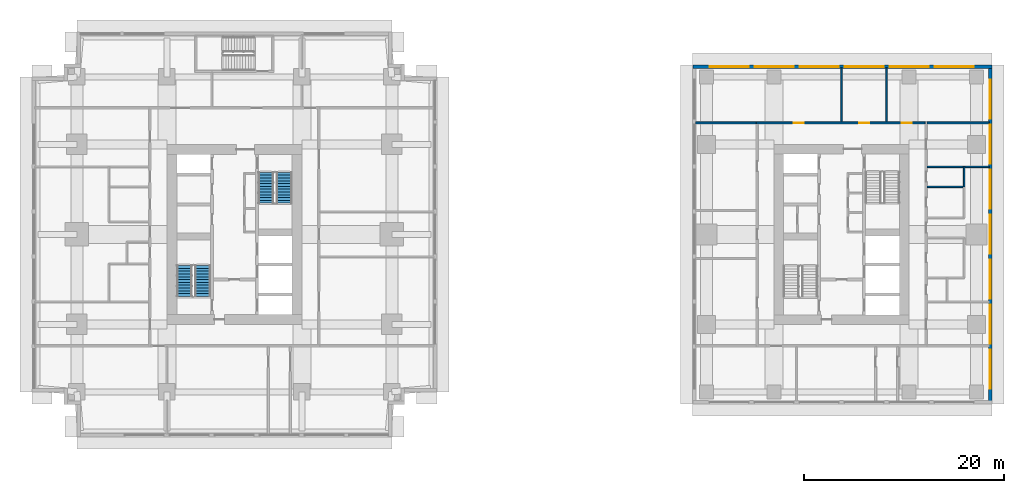
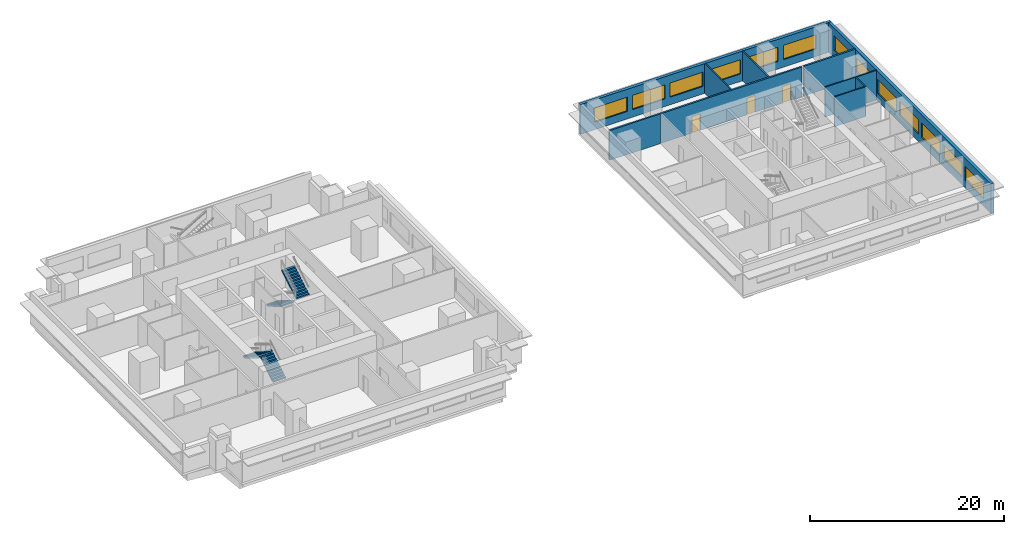
# One storey, part 8 of 11: 13 windows, 10 walls, 4 stair flights, 3 doors, 16 openings, 2 elements without a shape of their own.
"""IFC4 building model written with IfcOpenShell, lengths in metres."""

from ifc_helpers import new_model, si_unit, direction, frame, frame_2d, origin, place, context, subcontext, project, spatial, polyline, rectangle, outline, extrude, material, layer, layer_set, type_object, element, fill, aggregate, save


model = new_model("IFC4")

# Units and contexts
model_context = context("Model", 3, precision=1e-05, world=origin(), true_north=direction((0.0, 1.0)))
body_context = subcontext(model_context, "Body", "Model", "MODEL_VIEW")
ifc_project = project(units=[si_unit("LENGTHUNIT", "METRE"), si_unit("AREAUNIT", "SQUARE_METRE"), si_unit("VOLUMEUNIT", "CUBIC_METRE"), si_unit("PLANEANGLEUNIT", "RADIAN"), si_unit("MASSUNIT", "GRAM", prefix="KILO")], contexts=[model_context])

# Site, building, storey
site_placement = place(None, origin())
site = spatial("IfcSite", under=ifc_project, at=site_placement, CompositionType="ELEMENT")
building_placement = place(site_placement, origin())
building = spatial("IfcBuilding", under=site, at=building_placement, Name="Namib Vertical Campus", CompositionType="ELEMENT")
storey_placement = place(building_placement, frame((0.0, 0.0, 201.0)))
storey = spatial("IfcBuildingStorey", under=building, at=storey_placement, Name="L47", CompositionType="ELEMENT", Elevation=201.0)

# Wall, openings, doors
ifc_material_1 = material(Name="Concrete masonry", Category="masonry")
ifc_layer_1 = layer(ifc_material_1, 0.199951171875)
ifc_layer_set_1 = layer_set([ifc_layer_1], Name="Corridor wall 200")
wall_type_1 = type_object("IfcWallType", Name="Corridor wall 200", PredefinedType="SOLIDWALL", material=ifc_layer_set_1)
wall_1_placement = place(storey_placement, frame((89.35009765625, 31.39990234375, 0.0), z_axis=(0.0, 0.0, 1.0), x_axis=(-1.0, 0.0, 0.0)))
wall_1 = element("IfcWall", 1, at=wall_1_placement, inside=storey, type_object=wall_type_1, Name="Corridor wall B L47 CN", PredefinedType="SOLIDWALL", context=body_context, shape_type="SweptSolid", body=[
    extrude(rectangle(XDim=16.900146484375, YDim=0.199951171875, at=frame_2d((8.4501953125, 0.0))), origin(), (0.0, 0.0, 1.0), 3.75),
])
opening_1_placement = place(wall_1_placement, frame((12.125, 0.0, 0.0)))
opening_1 = element("IfcOpeningElement", 2, at=opening_1_placement, cuts=wall_1, Name="Opening CD1", PredefinedType="OPENING", context=body_context, shape_type="SweptSolid", body=[
    extrude(rectangle(XDim=1.0, YDim=2.10009765625, at=frame_2d((0.5, 1.050048828125))), frame((0.0, 0.10986328125, 0.0), z_axis=(0.0, -1.0, 0.0), x_axis=(1.0, 0.0, 0.0)), (0.0, 0.0, 1.0), 0.219970703125),
])
opening_2_placement = place(wall_1_placement, frame((5.60009765625, 0.0, 0.0)))
opening_2 = element("IfcOpeningElement", 3, at=opening_2_placement, cuts=wall_1, Name="Opening CD1", PredefinedType="OPENING", context=body_context, shape_type="SweptSolid", body=[
    extrude(rectangle(XDim=1.0, YDim=2.10009765625, at=frame_2d((0.5, 1.050048828125))), frame((0.0, 0.10986328125, 0.0), z_axis=(0.0, -1.0, 0.0), x_axis=(1.0, 0.0, 0.0)), (0.0, 0.0, 1.0), 0.219970703125),
])
opening_3_placement = place(wall_1_placement, frame((1.324951171875, 0.0, 0.0)))
opening_3 = element("IfcOpeningElement", 4, at=opening_3_placement, cuts=wall_1, Name="Opening CD1", PredefinedType="OPENING", context=body_context, shape_type="SweptSolid", body=[
    extrude(rectangle(XDim=1.0, YDim=2.10009765625, at=frame_2d((0.5, 1.050048828125))), frame((0.0, 0.10986328125, 0.0), z_axis=(0.0, -1.0, 0.0), x_axis=(1.0, 0.0, 0.0)), (0.0, 0.0, 1.0), 0.219970703125),
])
ifc_material_2 = material(Name="Timber fire door leaf", Category="wood")
door_type = type_object("IfcDoorType", Name="Corridor door 1000x2100 20 min", OperationType="SINGLE_SWING_LEFT", PredefinedType="DOOR", material=ifc_material_2)
door_1_placement = place(opening_1_placement, frame((1.0, 0.0, 0.0), z_axis=(0.0, 0.0, 1.0), x_axis=(-1.0, 0.0, 0.0)))
door_1 = element("IfcDoor", 5, at=door_1_placement, inside=storey, type_object=door_type, Name="Door CD1 B47-11", OperationType="SINGLE_SWING_RIGHT", OverallHeight=2.10009765625, OverallWidth=1.0, PredefinedType="DOOR", context=body_context, shape_type="SweptSolid", body=[
    extrude(rectangle(XDim=1.0, YDim=2.10009765625, at=frame_2d((0.5, 1.050048828125))), frame((0.0, 0.02490234375, 0.0), z_axis=(0.0, -1.0, 0.0), x_axis=(1.0, 0.0, 0.0)), (0.0, 0.0, 1.0), 0.050048828125),
])
fill(opening_1, door_1)
door_2_placement = place(opening_2_placement, frame((1.0, 0.0, 0.0), z_axis=(0.0, 0.0, 1.0), x_axis=(-1.0, 0.0, 0.0)))
door_2 = element("IfcDoor", 6, at=door_2_placement, inside=storey, type_object=door_type, Name="Door CD1 B47-12", OperationType="SINGLE_SWING_RIGHT", OverallHeight=2.10009765625, OverallWidth=1.0, PredefinedType="DOOR", context=body_context, shape_type="SweptSolid", body=[
    extrude(rectangle(XDim=1.0, YDim=2.10009765625, at=frame_2d((0.5, 1.050048828125))), frame((0.0, 0.02490234375, 0.0), z_axis=(0.0, -1.0, 0.0), x_axis=(1.0, 0.0, 0.0)), (0.0, 0.0, 1.0), 0.050048828125),
])
fill(opening_2, door_2)
door_3_placement = place(opening_3_placement, frame((1.0, 0.0, 0.0), z_axis=(0.0, 0.0, 1.0), x_axis=(-1.0, 0.0, 0.0)))
door_3 = element("IfcDoor", 7, at=door_3_placement, inside=storey, type_object=door_type, Name="Door CD1 B47-13", OperationType="SINGLE_SWING_LEFT", OverallHeight=2.10009765625, OverallWidth=1.0, PredefinedType="DOOR", context=body_context, shape_type="SweptSolid", body=[
    extrude(rectangle(XDim=1.0, YDim=2.10009765625, at=frame_2d((0.5, 1.050048828125))), frame((0.0, 0.02490234375, 0.0), z_axis=(0.0, -1.0, 0.0), x_axis=(1.0, 0.0, 0.0)), (0.0, 0.0, 1.0), 0.050048828125),
])
fill(opening_3, door_3)

# Walls
wall_2_placement = place(storey_placement, frame((66.39990234375, 31.39990234375, 0.0), z_axis=(0.0, 0.0, 1.0), x_axis=(1.0, 0.0, 0.0)))
element("IfcWall", 8, at=wall_2_placement, inside=storey, type_object=wall_type_1, Name="Partition B L47 BNW", PredefinedType="SOLIDWALL", context=body_context, shape_type="SweptSolid", body=[
    extrude(rectangle(XDim=6.050048828125, YDim=0.199951171875, at=frame_2d((3.02490234375, 0.0))), origin(), (0.0, 0.0, 1.0), 3.75),
])
wall_3_placement = place(storey_placement, frame((89.550048828125, 31.39990234375, 0.0), z_axis=(0.0, 0.0, 1.0), x_axis=(1.0, 0.0, 0.0)))
element("IfcWall", 9, at=wall_3_placement, inside=storey, type_object=wall_type_1, Name="Partition B L47 BNE", PredefinedType="SOLIDWALL", context=body_context, shape_type="SweptSolid", body=[
    extrude(rectangle(XDim=6.199951171875, YDim=0.199951171875, at=frame_2d((3.10009765625, 0.0))), origin(), (0.0, 0.0, 1.0), 3.75),
])

# Wall, openings, windows
ifc_material_3 = material(Name="Concrete C40/50", Category="concrete")
ifc_layer_2 = layer(ifc_material_3, 0.35009765625)
ifc_layer_set_2 = layer_set([ifc_layer_2], Name="Concrete C40/50")
wall_type_2 = type_object("IfcWallType", Name="External wall 350 bush-hammered concrete", PredefinedType="STANDARD", material=ifc_layer_set_2)
wall_4_placement = place(storey_placement, frame((95.875, 3.320068359375, 0.0), z_axis=(0.0, 0.0, 1.0), x_axis=(0.0, 1.0, 0.0)))
wall_4 = element("IfcWall", 10, at=wall_4_placement, inside=storey, type_object=wall_type_2, Name="External wall L47 F02", PredefinedType="STANDARD", context=body_context, shape_type="SweptSolid", body=[
    extrude(rectangle(XDim=33.85986328125, YDim=0.35009765625, at=frame_2d((16.929931640625, 0.0))), origin(), (0.0, 0.0, 1.0), 3.75),
])
opening_4_placement = place(wall_4_placement, frame((1.47998046875, 0.0, 0.949951171875)))
opening_4 = element("IfcOpeningElement", 11, at=opening_4_placement, cuts=wall_4, Name="Opening W3", PredefinedType="OPENING", context=body_context, shape_type="SweptSolid", body=[
    extrude(rectangle(XDim=3.89990234375, YDim=1.800048828125, at=frame_2d((1.949951171875, 0.89990234375))), frame((0.0, 0.18505859375, 0.0), z_axis=(0.0, -1.0, 0.0), x_axis=(1.0, 0.0, 0.0)), (0.0, 0.0, 1.0), 0.3701171875),
])
opening_5_placement = place(wall_4_placement, frame((5.97998046875, 0.0, 0.949951171875)))
opening_5 = element("IfcOpeningElement", 12, at=opening_5_placement, cuts=wall_4, Name="Opening W3", PredefinedType="OPENING", context=body_context, shape_type="SweptSolid", body=[
    extrude(rectangle(XDim=3.89990234375, YDim=1.800048828125, at=frame_2d((1.949951171875, 0.89990234375))), frame((0.0, 0.18505859375, 0.0), z_axis=(0.0, -1.0, 0.0), x_axis=(1.0, 0.0, 0.0)), (0.0, 0.0, 1.0), 0.3701171875),
])
opening_6_placement = place(wall_4_placement, frame((10.47998046875, 0.0, 0.949951171875)))
opening_6 = element("IfcOpeningElement", 13, at=opening_6_placement, cuts=wall_4, Name="Opening W3", PredefinedType="OPENING", context=body_context, shape_type="SweptSolid", body=[
    extrude(rectangle(XDim=3.89990234375, YDim=1.800048828125, at=frame_2d((1.949951171875, 0.89990234375))), frame((0.0, 0.18505859375, 0.0), z_axis=(0.0, -1.0, 0.0), x_axis=(1.0, 0.0, 0.0)), (0.0, 0.0, 1.0), 0.3701171875),
])
opening_7_placement = place(wall_4_placement, frame((14.97998046875, 0.0, 0.949951171875)))
opening_7 = element("IfcOpeningElement", 14, at=opening_7_placement, cuts=wall_4, Name="Opening W3", PredefinedType="OPENING", context=body_context, shape_type="SweptSolid", body=[
    extrude(rectangle(XDim=3.89990234375, YDim=1.800048828125, at=frame_2d((1.949951171875, 0.89990234375))), frame((0.0, 0.18505859375, 0.0), z_axis=(0.0, -1.0, 0.0), x_axis=(1.0, 0.0, 0.0)), (0.0, 0.0, 1.0), 0.3701171875),
])
opening_8_placement = place(wall_4_placement, frame((19.47998046875, 0.0, 0.949951171875)))
opening_8 = element("IfcOpeningElement", 15, at=opening_8_placement, cuts=wall_4, Name="Opening W3", PredefinedType="OPENING", context=body_context, shape_type="SweptSolid", body=[
    extrude(rectangle(XDim=3.89990234375, YDim=1.800048828125, at=frame_2d((1.949951171875, 0.89990234375))), frame((0.0, 0.18505859375, 0.0), z_axis=(0.0, -1.0, 0.0), x_axis=(1.0, 0.0, 0.0)), (0.0, 0.0, 1.0), 0.3701171875),
])
opening_9_placement = place(wall_4_placement, frame((23.97998046875, 0.0, 0.949951171875)))
opening_9 = element("IfcOpeningElement", 16, at=opening_9_placement, cuts=wall_4, Name="Opening W3", PredefinedType="OPENING", context=body_context, shape_type="SweptSolid", body=[
    extrude(rectangle(XDim=3.89990234375, YDim=1.800048828125, at=frame_2d((1.949951171875, 0.89990234375))), frame((0.0, 0.18505859375, 0.0), z_axis=(0.0, -1.0, 0.0), x_axis=(1.0, 0.0, 0.0)), (0.0, 0.0, 1.0), 0.3701171875),
])
opening_10_placement = place(wall_4_placement, frame((28.47998046875, 0.0, 0.949951171875)))
opening_10 = element("IfcOpeningElement", 17, at=opening_10_placement, cuts=wall_4, Name="Opening W3", PredefinedType="OPENING", context=body_context, shape_type="SweptSolid", body=[
    extrude(rectangle(XDim=3.89990234375, YDim=1.800048828125, at=frame_2d((1.949951171875, 0.89990234375))), frame((0.0, 0.18505859375, 0.0), z_axis=(0.0, -1.0, 0.0), x_axis=(1.0, 0.0, 0.0)), (0.0, 0.0, 1.0), 0.3701171875),
])
ifc_material_4 = material(Name="Dark tinted glass in black aluminium frame", Category="aluminium")
window_type = type_object("IfcWindowType", Name="Ribbon window 3900x1800", PartitioningType="SINGLE_PANEL", PredefinedType="WINDOW", material=ifc_material_4)
window_1_placement = place(opening_4_placement, origin())
window_1 = element("IfcWindow", 18, at=window_1_placement, inside=storey, type_object=window_type, Name="Window W3 L47 F02-1", OverallHeight=1.800048828125, OverallWidth=3.89990234375, PartitioningType="SINGLE_PANEL", PredefinedType="WINDOW", context=body_context, shape_type="SweptSolid", body=[
    extrude(rectangle(XDim=3.89990234375, YDim=1.800048828125, at=frame_2d((1.949951171875, 0.89990234375))), frame((0.0, 0.030029296875, 0.0), z_axis=(0.0, -1.0, 0.0), x_axis=(1.0, 0.0, 0.0)), (0.0, 0.0, 1.0), 0.06005859375),
])
fill(opening_4, window_1)
window_2_placement = place(opening_5_placement, origin())
window_2 = element("IfcWindow", 19, at=window_2_placement, inside=storey, type_object=window_type, Name="Window W3 L47 F02-2", OverallHeight=1.800048828125, OverallWidth=3.89990234375, PartitioningType="SINGLE_PANEL", PredefinedType="WINDOW", context=body_context, shape_type="SweptSolid", body=[
    extrude(rectangle(XDim=3.89990234375, YDim=1.800048828125, at=frame_2d((1.949951171875, 0.89990234375))), frame((0.0, 0.030029296875, 0.0), z_axis=(0.0, -1.0, 0.0), x_axis=(1.0, 0.0, 0.0)), (0.0, 0.0, 1.0), 0.06005859375),
])
fill(opening_5, window_2)
window_3_placement = place(opening_6_placement, origin())
window_3 = element("IfcWindow", 20, at=window_3_placement, inside=storey, type_object=window_type, Name="Window W3 L47 F02-3", OverallHeight=1.800048828125, OverallWidth=3.89990234375, PartitioningType="SINGLE_PANEL", PredefinedType="WINDOW", context=body_context, shape_type="SweptSolid", body=[
    extrude(rectangle(XDim=3.89990234375, YDim=1.800048828125, at=frame_2d((1.949951171875, 0.89990234375))), frame((0.0, 0.030029296875, 0.0), z_axis=(0.0, -1.0, 0.0), x_axis=(1.0, 0.0, 0.0)), (0.0, 0.0, 1.0), 0.06005859375),
])
fill(opening_6, window_3)
window_4_placement = place(opening_7_placement, origin())
window_4 = element("IfcWindow", 21, at=window_4_placement, inside=storey, type_object=window_type, Name="Window W3 L47 F02-4", OverallHeight=1.800048828125, OverallWidth=3.89990234375, PartitioningType="SINGLE_PANEL", PredefinedType="WINDOW", context=body_context, shape_type="SweptSolid", body=[
    extrude(rectangle(XDim=3.89990234375, YDim=1.800048828125, at=frame_2d((1.949951171875, 0.89990234375))), frame((0.0, 0.030029296875, 0.0), z_axis=(0.0, -1.0, 0.0), x_axis=(1.0, 0.0, 0.0)), (0.0, 0.0, 1.0), 0.06005859375),
])
fill(opening_7, window_4)
window_5_placement = place(opening_8_placement, origin())
window_5 = element("IfcWindow", 22, at=window_5_placement, inside=storey, type_object=window_type, Name="Window W3 L47 F02-5", OverallHeight=1.800048828125, OverallWidth=3.89990234375, PartitioningType="SINGLE_PANEL", PredefinedType="WINDOW", context=body_context, shape_type="SweptSolid", body=[
    extrude(rectangle(XDim=3.89990234375, YDim=1.800048828125, at=frame_2d((1.949951171875, 0.89990234375))), frame((0.0, 0.030029296875, 0.0), z_axis=(0.0, -1.0, 0.0), x_axis=(1.0, 0.0, 0.0)), (0.0, 0.0, 1.0), 0.06005859375),
])
fill(opening_8, window_5)
window_6_placement = place(opening_9_placement, origin())
window_6 = element("IfcWindow", 23, at=window_6_placement, inside=storey, type_object=window_type, Name="Window W3 L47 F02-6", OverallHeight=1.800048828125, OverallWidth=3.89990234375, PartitioningType="SINGLE_PANEL", PredefinedType="WINDOW", context=body_context, shape_type="SweptSolid", body=[
    extrude(rectangle(XDim=3.89990234375, YDim=1.800048828125, at=frame_2d((1.949951171875, 0.89990234375))), frame((0.0, 0.030029296875, 0.0), z_axis=(0.0, -1.0, 0.0), x_axis=(1.0, 0.0, 0.0)), (0.0, 0.0, 1.0), 0.06005859375),
])
fill(opening_9, window_6)
window_7_placement = place(opening_10_placement, origin())
window_7 = element("IfcWindow", 24, at=window_7_placement, inside=storey, type_object=window_type, Name="Window W3 L47 F02-7", OverallHeight=1.800048828125, OverallWidth=3.89990234375, PartitioningType="SINGLE_PANEL", PredefinedType="WINDOW", context=body_context, shape_type="SweptSolid", body=[
    extrude(rectangle(XDim=3.89990234375, YDim=1.800048828125, at=frame_2d((1.949951171875, 0.89990234375))), frame((0.0, 0.030029296875, 0.0), z_axis=(0.0, -1.0, 0.0), x_axis=(1.0, 0.0, 0.0)), (0.0, 0.0, 1.0), 0.06005859375),
])
fill(opening_10, window_7)

wall_5_placement = place(storey_placement, frame((96.030029296875, 37.02490234375, 0.0), z_axis=(0.0, 0.0, 1.0), x_axis=(-1.0, 0.0, 0.0)))
wall_5 = element("IfcWall", 25, at=wall_5_placement, inside=storey, type_object=wall_type_2, Name="External wall L47 F03", PredefinedType="STANDARD", context=body_context, shape_type="SweptSolid", body=[
    extrude(rectangle(XDim=29.909912109375, YDim=0.35009765625, at=frame_2d((14.955078125, 0.0))), origin(), (0.0, 0.0, 1.0), 3.75),
])
opening_11_placement = place(wall_5_placement, frame((24.330078125, 0.0, 0.949951171875)))
opening_11 = element("IfcOpeningElement", 26, at=opening_11_placement, cuts=wall_5, Name="Opening W3", PredefinedType="OPENING", context=body_context, shape_type="SweptSolid", body=[
    extrude(rectangle(XDim=3.89990234375, YDim=1.800048828125, at=frame_2d((1.949951171875, 0.89990234375))), frame((0.0, 0.18505859375, 0.0), z_axis=(0.0, -1.0, 0.0), x_axis=(1.0, 0.0, 0.0)), (0.0, 0.0, 1.0), 0.3701171875),
])
opening_12_placement = place(wall_5_placement, frame((19.830078125, 0.0, 0.949951171875)))
opening_12 = element("IfcOpeningElement", 27, at=opening_12_placement, cuts=wall_5, Name="Opening W3", PredefinedType="OPENING", context=body_context, shape_type="SweptSolid", body=[
    extrude(rectangle(XDim=3.89990234375, YDim=1.800048828125, at=frame_2d((1.949951171875, 0.89990234375))), frame((0.0, 0.18505859375, 0.0), z_axis=(0.0, -1.0, 0.0), x_axis=(1.0, 0.0, 0.0)), (0.0, 0.0, 1.0), 0.3701171875),
])
opening_13_placement = place(wall_5_placement, frame((15.330078125, 0.0, 0.949951171875)))
opening_13 = element("IfcOpeningElement", 28, at=opening_13_placement, cuts=wall_5, Name="Opening W3", PredefinedType="OPENING", context=body_context, shape_type="SweptSolid", body=[
    extrude(rectangle(XDim=3.89990234375, YDim=1.800048828125, at=frame_2d((1.949951171875, 0.89990234375))), frame((0.0, 0.18505859375, 0.0), z_axis=(0.0, -1.0, 0.0), x_axis=(1.0, 0.0, 0.0)), (0.0, 0.0, 1.0), 0.3701171875),
])
opening_14_placement = place(wall_5_placement, frame((10.830078125, 0.0, 0.949951171875)))
opening_14 = element("IfcOpeningElement", 29, at=opening_14_placement, cuts=wall_5, Name="Opening W3", PredefinedType="OPENING", context=body_context, shape_type="SweptSolid", body=[
    extrude(rectangle(XDim=3.89990234375, YDim=1.800048828125, at=frame_2d((1.949951171875, 0.89990234375))), frame((0.0, 0.18505859375, 0.0), z_axis=(0.0, -1.0, 0.0), x_axis=(1.0, 0.0, 0.0)), (0.0, 0.0, 1.0), 0.3701171875),
])
opening_15_placement = place(wall_5_placement, frame((6.330078125, 0.0, 0.949951171875)))
opening_15 = element("IfcOpeningElement", 30, at=opening_15_placement, cuts=wall_5, Name="Opening W3", PredefinedType="OPENING", context=body_context, shape_type="SweptSolid", body=[
    extrude(rectangle(XDim=3.89990234375, YDim=1.800048828125, at=frame_2d((1.949951171875, 0.89990234375))), frame((0.0, 0.18505859375, 0.0), z_axis=(0.0, -1.0, 0.0), x_axis=(1.0, 0.0, 0.0)), (0.0, 0.0, 1.0), 0.3701171875),
])
opening_16_placement = place(wall_5_placement, frame((1.830078125, 0.0, 0.949951171875)))
opening_16 = element("IfcOpeningElement", 31, at=opening_16_placement, cuts=wall_5, Name="Opening W3", PredefinedType="OPENING", context=body_context, shape_type="SweptSolid", body=[
    extrude(rectangle(XDim=3.89990234375, YDim=1.800048828125, at=frame_2d((1.949951171875, 0.89990234375))), frame((0.0, 0.18505859375, 0.0), z_axis=(0.0, -1.0, 0.0), x_axis=(1.0, 0.0, 0.0)), (0.0, 0.0, 1.0), 0.3701171875),
])
window_8_placement = place(opening_11_placement, origin())
window_8 = element("IfcWindow", 32, at=window_8_placement, inside=storey, type_object=window_type, Name="Window W3 L47 F03-1", OverallHeight=1.800048828125, OverallWidth=3.89990234375, PartitioningType="SINGLE_PANEL", PredefinedType="WINDOW", context=body_context, shape_type="SweptSolid", body=[
    extrude(rectangle(XDim=3.89990234375, YDim=1.800048828125, at=frame_2d((1.949951171875, 0.89990234375))), frame((0.0, 0.030029296875, 0.0), z_axis=(0.0, -1.0, 0.0), x_axis=(1.0, 0.0, 0.0)), (0.0, 0.0, 1.0), 0.06005859375),
])
fill(opening_11, window_8)
window_9_placement = place(opening_12_placement, origin())
window_9 = element("IfcWindow", 33, at=window_9_placement, inside=storey, type_object=window_type, Name="Window W3 L47 F03-2", OverallHeight=1.800048828125, OverallWidth=3.89990234375, PartitioningType="SINGLE_PANEL", PredefinedType="WINDOW", context=body_context, shape_type="SweptSolid", body=[
    extrude(rectangle(XDim=3.89990234375, YDim=1.800048828125, at=frame_2d((1.949951171875, 0.89990234375))), frame((0.0, 0.030029296875, 0.0), z_axis=(0.0, -1.0, 0.0), x_axis=(1.0, 0.0, 0.0)), (0.0, 0.0, 1.0), 0.06005859375),
])
fill(opening_12, window_9)
window_10_placement = place(opening_13_placement, origin())
window_10 = element("IfcWindow", 34, at=window_10_placement, inside=storey, type_object=window_type, Name="Window W3 L47 F03-3", OverallHeight=1.800048828125, OverallWidth=3.89990234375, PartitioningType="SINGLE_PANEL", PredefinedType="WINDOW", context=body_context, shape_type="SweptSolid", body=[
    extrude(rectangle(XDim=3.89990234375, YDim=1.800048828125, at=frame_2d((1.949951171875, 0.89990234375))), frame((0.0, 0.030029296875, 0.0), z_axis=(0.0, -1.0, 0.0), x_axis=(1.0, 0.0, 0.0)), (0.0, 0.0, 1.0), 0.06005859375),
])
fill(opening_13, window_10)
window_11_placement = place(opening_14_placement, origin())
window_11 = element("IfcWindow", 35, at=window_11_placement, inside=storey, type_object=window_type, Name="Window W3 L47 F03-4", OverallHeight=1.800048828125, OverallWidth=3.89990234375, PartitioningType="SINGLE_PANEL", PredefinedType="WINDOW", context=body_context, shape_type="SweptSolid", body=[
    extrude(rectangle(XDim=3.89990234375, YDim=1.800048828125, at=frame_2d((1.949951171875, 0.89990234375))), frame((0.0, 0.030029296875, 0.0), z_axis=(0.0, -1.0, 0.0), x_axis=(1.0, 0.0, 0.0)), (0.0, 0.0, 1.0), 0.06005859375),
])
fill(opening_14, window_11)
window_12_placement = place(opening_15_placement, origin())
window_12 = element("IfcWindow", 36, at=window_12_placement, inside=storey, type_object=window_type, Name="Window W3 L47 F03-5", OverallHeight=1.800048828125, OverallWidth=3.89990234375, PartitioningType="SINGLE_PANEL", PredefinedType="WINDOW", context=body_context, shape_type="SweptSolid", body=[
    extrude(rectangle(XDim=3.89990234375, YDim=1.800048828125, at=frame_2d((1.949951171875, 0.89990234375))), frame((0.0, 0.030029296875, 0.0), z_axis=(0.0, -1.0, 0.0), x_axis=(1.0, 0.0, 0.0)), (0.0, 0.0, 1.0), 0.06005859375),
])
fill(opening_15, window_12)
window_13_placement = place(opening_16_placement, origin())
window_13 = element("IfcWindow", 37, at=window_13_placement, inside=storey, type_object=window_type, Name="Window W3 L47 F03-6", OverallHeight=1.800048828125, OverallWidth=3.89990234375, PartitioningType="SINGLE_PANEL", PredefinedType="WINDOW", context=body_context, shape_type="SweptSolid", body=[
    extrude(rectangle(XDim=3.89990234375, YDim=1.800048828125, at=frame_2d((1.949951171875, 0.89990234375))), frame((0.0, 0.030029296875, 0.0), z_axis=(0.0, -1.0, 0.0), x_axis=(1.0, 0.0, 0.0)), (0.0, 0.0, 1.0), 0.06005859375),
])
fill(opening_16, window_13)

# Walls
ifc_material_5 = material(Name="Gypsum board on steel studs", Category="steel")
ifc_layer_3 = layer(ifc_material_5, 0.14990234375)
ifc_layer_set_3 = layer_set([ifc_layer_3], Name="Gypsum board on steel studs")
wall_type_3 = type_object("IfcWallType", Name="Partition 150", PredefinedType="PARTITIONING", material=ifc_layer_set_3)
for number, where, z_axis, x_axis, name in (
    (38, (81.0, 31.5, 0.0), (0.0, 0.0, 1.0), (0.0, 1.0, 0.0), "Partition B L47 PN1"),
    (39, (85.5, 31.5, 0.0), (0.0, 0.0, 1.0), (0.0, 1.0, 0.0), "Partition B L47 PN2"),
):
    element("IfcWall", number, at=place(storey_placement, frame(where, z_axis=z_axis, x_axis=x_axis)), inside=storey, type_object=wall_type_3, Name=name, PredefinedType="PARTITIONING", context=body_context, shape_type="SweptSolid", body=[
        extrude(rectangle(XDim=5.39990234375, YDim=0.14990234375, at=frame_2d((2.699951171875, 0.0))), origin(), (0.0, 0.0, 1.0), 3.75),
    ])
wall_6_placement = place(storey_placement, frame((89.550048828125, 27.0, 0.0), z_axis=(0.0, 0.0, 1.0), x_axis=(1.0, 0.0, 0.0)))
element("IfcWall", 40, at=wall_6_placement, inside=storey, type_object=wall_type_3, Name="Partition B L47 PE2", PredefinedType="PARTITIONING", context=body_context, shape_type="SweptSolid", body=[
    extrude(rectangle(XDim=6.199951171875, YDim=0.14990234375, at=frame_2d((3.10009765625, 0.0))), origin(), (0.0, 0.0, 1.0), 3.75),
])
wall_7_placement = place(storey_placement, frame((89.550048828125, 25.0, 0.0), z_axis=(0.0, 0.0, 1.0), x_axis=(1.0, 0.0, 0.0)))
element("IfcWall", 41, at=wall_7_placement, inside=storey, type_object=wall_type_3, Name="Partition B L47 WR4", PredefinedType="PARTITIONING", context=body_context, shape_type="SweptSolid", body=[
    extrude(rectangle(XDim=3.699951171875, YDim=0.14990234375, at=frame_2d((1.85009765625, 0.0))), origin(), (0.0, 0.0, 1.0), 3.75),
])
wall_8_placement = place(storey_placement, frame((93.25, 25.0, 0.0), z_axis=(0.0, 0.0, 1.0), x_axis=(0.0, 1.0, 0.0)))
element("IfcWall", 42, at=wall_8_placement, inside=storey, type_object=wall_type_3, Name="Partition B L47 WB4", PredefinedType="PARTITIONING", context=body_context, shape_type="SweptSolid", body=[
    extrude(rectangle(XDim=2.0, YDim=0.14990234375, at=frame_2d((1.0, 0.0))), origin(), (0.0, 0.0, 1.0), 3.75),
])

# Stair, stair flights
ifc_material_6 = material(Name="Concrete C40/50 precast", Category="concrete")
stair_type = type_object("IfcStairType", Name="Exit stair 4000 rise 24 risers 3350 wide", PredefinedType="HALF_TURN_STAIR", material=ifc_material_6)
stair_1_placement = place(storey_placement, origin())
stair_1 = element("IfcStair", 43, at=stair_1_placement, inside=storey, type_object=stair_type, Name="Exit stair A-S1 L47", PredefinedType="HALF_TURN_STAIR")
ifc_material_7 = material(Name="Concrete C40/50 precast", Category="concrete")
stair_flight_type = type_object("IfcStairFlightType", Name="Stair flight 12 risers 167 1525 wide", PredefinedType="STRAIGHT", material=ifc_material_7)
stair_flight_1_placement = place(storey_placement, frame((17.08740234375, 14.050048828125, 0.0), z_axis=(0.0, 0.0, 1.0), x_axis=(0.0, 1.0, 0.0)))
stair_flight_1 = element("IfcStairFlight", 44, at=stair_flight_1_placement, type_object=stair_flight_type, Name="A-S1 flight 1", NumberOfRisers=12, NumberOfTreads=11, PredefinedType="STRAIGHT", RiserHeight=0.166666667, TreadLength=0.28, context=body_context, shape_type="SweptSolid", body=[
    extrude(outline(polyline([(0.0, 0.0), (0.0, 0.166748046875), (0.280029296875, 0.166748046875), (0.280029296875, 0.333251953125), (0.56005859375, 0.333251953125), (0.56005859375, 0.5), (0.840087890625, 0.5), (0.840087890625, 0.666748046875), (1.1201171875, 0.666748046875), (1.1201171875, 0.833251953125), (1.39990234375, 0.833251953125), (1.39990234375, 1.0), (1.679931640625, 1.0), (1.679931640625, 1.166748046875), (1.9599609375, 1.166748046875), (1.9599609375, 1.333251953125), (2.239990234375, 1.333251953125), (2.239990234375, 1.5), (2.52001953125, 1.5), (2.52001953125, 1.666748046875), (2.800048828125, 1.666748046875), (2.800048828125, 1.833251953125), (3.080078125, 1.833251953125), (3.080078125, 2.0), (3.080078125, 1.658935546875), (0.29296875, 0.0), (0.0, 0.0)])), frame((0.0, 0.762451171875, 0.0), z_axis=(0.0, -1.0, 0.0), x_axis=(1.0, 0.0, 0.0)), (0.0, 0.0, 1.0), 1.52490234375),
])
stair_flight_2_placement = place(storey_placement, frame((15.262451171875, 17.1298828125, 2.0), z_axis=(0.0, 0.0, 1.0), x_axis=(0.0, -1.0, 0.0)))
stair_flight_2 = element("IfcStairFlight", 45, at=stair_flight_2_placement, type_object=stair_flight_type, Name="A-S1 flight 2", NumberOfRisers=12, NumberOfTreads=11, PredefinedType="STRAIGHT", RiserHeight=0.166666667, TreadLength=0.28, context=body_context, shape_type="SweptSolid", body=[
    extrude(outline(polyline([(0.0, 0.0), (0.0, 0.166748046875), (0.280029296875, 0.166748046875), (0.280029296875, 0.333251953125), (0.56005859375, 0.333251953125), (0.56005859375, 0.5), (0.840087890625, 0.5), (0.840087890625, 0.666748046875), (1.1201171875, 0.666748046875), (1.1201171875, 0.833251953125), (1.39990234375, 0.833251953125), (1.39990234375, 1.0), (1.679931640625, 1.0), (1.679931640625, 1.166748046875), (1.9599609375, 1.166748046875), (1.9599609375, 1.333251953125), (2.239990234375, 1.333251953125), (2.239990234375, 1.5), (2.52001953125, 1.5), (2.52001953125, 1.666748046875), (2.800048828125, 1.666748046875), (2.800048828125, 1.833251953125), (3.080078125, 1.833251953125), (3.080078125, 2.0), (3.080078125, 1.658935546875), (0.29296875, 0.0), (0.0, 0.0)])), frame((0.0, 0.762451171875, 0.0), z_axis=(0.0, -1.0, 0.0), x_axis=(1.0, 0.0, 0.0)), (0.0, 0.0, 1.0), 1.52490234375),
])
aggregate(stair_1, [stair_flight_1, stair_flight_2])

stair_2_placement = place(storey_placement, origin())
stair_2 = element("IfcStair", 46, at=stair_2_placement, inside=storey, type_object=stair_type, Name="Exit stair A-S2 L47", PredefinedType="HALF_TURN_STAIR")
stair_flight_3_placement = place(storey_placement, frame((23.41259765625, 26.449951171875, 0.0), z_axis=(0.0, 0.0, 1.0), x_axis=(0.0, -1.0, 0.0)))
stair_flight_3 = element("IfcStairFlight", 47, at=stair_flight_3_placement, type_object=stair_flight_type, Name="A-S2 flight 1", NumberOfRisers=12, NumberOfTreads=11, PredefinedType="STRAIGHT", RiserHeight=0.166666667, TreadLength=0.28, context=body_context, shape_type="SweptSolid", body=[
    extrude(outline(polyline([(0.0, 0.0), (0.0, 0.166748046875), (0.280029296875, 0.166748046875), (0.280029296875, 0.333251953125), (0.56005859375, 0.333251953125), (0.56005859375, 0.5), (0.840087890625, 0.5), (0.840087890625, 0.666748046875), (1.1201171875, 0.666748046875), (1.1201171875, 0.833251953125), (1.39990234375, 0.833251953125), (1.39990234375, 1.0), (1.679931640625, 1.0), (1.679931640625, 1.166748046875), (1.9599609375, 1.166748046875), (1.9599609375, 1.333251953125), (2.239990234375, 1.333251953125), (2.239990234375, 1.5), (2.52001953125, 1.5), (2.52001953125, 1.666748046875), (2.800048828125, 1.666748046875), (2.800048828125, 1.833251953125), (3.080078125, 1.833251953125), (3.080078125, 2.0), (3.080078125, 1.658935546875), (0.29296875, 0.0), (0.0, 0.0)])), frame((0.0, 0.762451171875, 0.0), z_axis=(0.0, -1.0, 0.0), x_axis=(1.0, 0.0, 0.0)), (0.0, 0.0, 1.0), 1.52490234375),
])
stair_flight_4_placement = place(storey_placement, frame((25.237548828125, 23.3701171875, 2.0), z_axis=(0.0, 0.0, 1.0), x_axis=(0.0, 1.0, 0.0)))
stair_flight_4 = element("IfcStairFlight", 48, at=stair_flight_4_placement, type_object=stair_flight_type, Name="A-S2 flight 2", NumberOfRisers=12, NumberOfTreads=11, PredefinedType="STRAIGHT", RiserHeight=0.166666667, TreadLength=0.28, context=body_context, shape_type="SweptSolid", body=[
    extrude(outline(polyline([(0.0, 0.0), (0.0, 0.166748046875), (0.280029296875, 0.166748046875), (0.280029296875, 0.333251953125), (0.56005859375, 0.333251953125), (0.56005859375, 0.5), (0.840087890625, 0.5), (0.840087890625, 0.666748046875), (1.1201171875, 0.666748046875), (1.1201171875, 0.833251953125), (1.39990234375, 0.833251953125), (1.39990234375, 1.0), (1.679931640625, 1.0), (1.679931640625, 1.166748046875), (1.9599609375, 1.166748046875), (1.9599609375, 1.333251953125), (2.239990234375, 1.333251953125), (2.239990234375, 1.5), (2.52001953125, 1.5), (2.52001953125, 1.666748046875), (2.800048828125, 1.666748046875), (2.800048828125, 1.833251953125), (3.080078125, 1.833251953125), (3.080078125, 2.0), (3.080078125, 1.658935546875), (0.29296875, 0.0), (0.0, 0.0)])), frame((0.0, 0.762451171875, 0.0), z_axis=(0.0, -1.0, 0.0), x_axis=(1.0, 0.0, 0.0)), (0.0, 0.0, 1.0), 1.52490234375),
])
aggregate(stair_2, [stair_flight_3, stair_flight_4])

save(model, "model.ifc")
